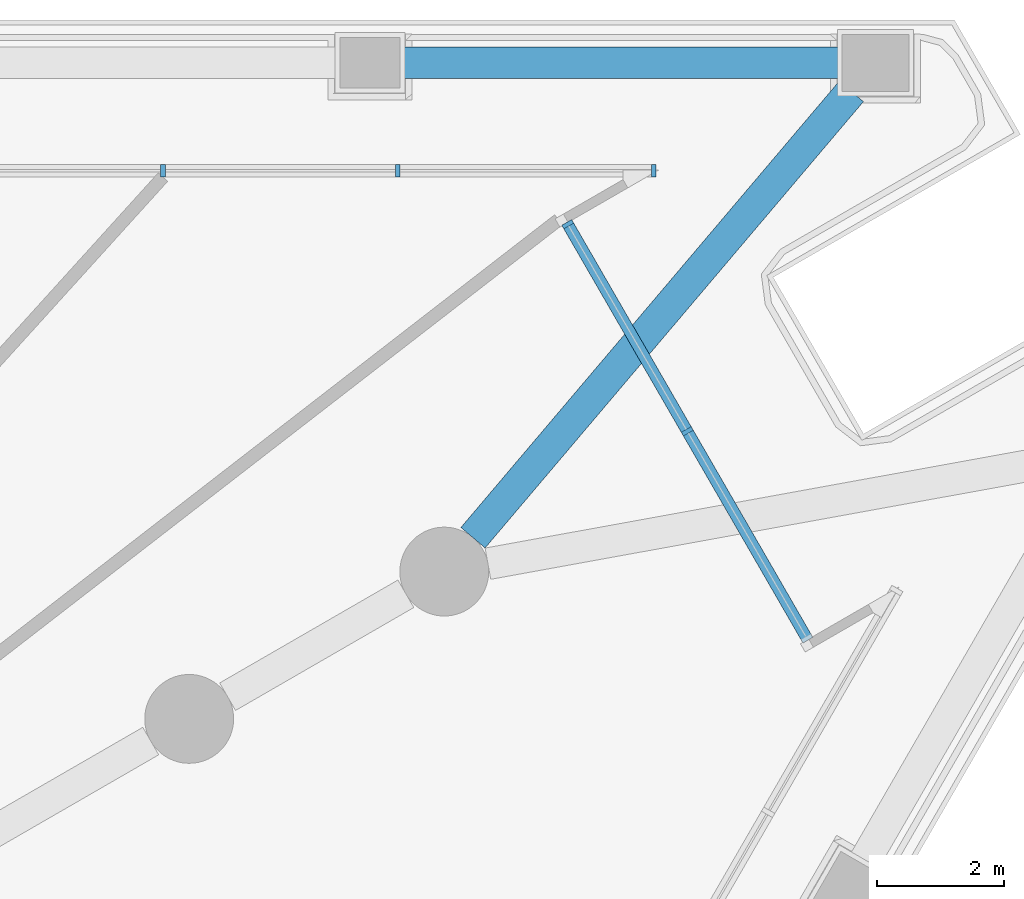
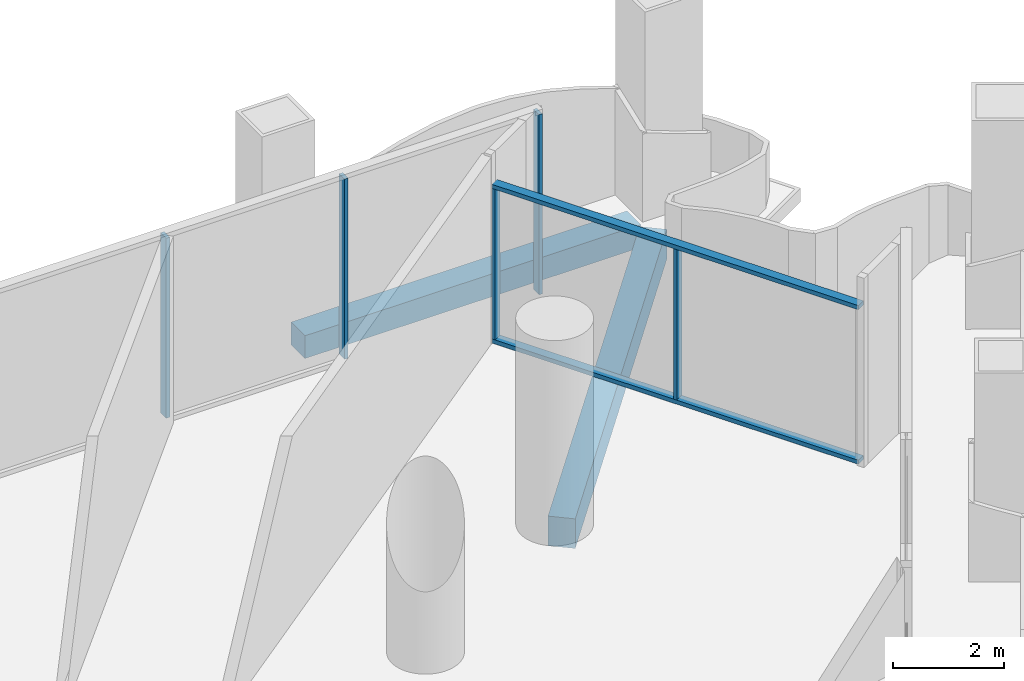
# One storey, part 9 of 23: 7 members, 2 beams, 2 elements without a shape of their own.
"""IFC4 building model written with IfcOpenShell, lengths in metres."""

from ifc_helpers import new_model, si_unit, direction, frame, origin, origin_2d, place, context, subcontext, project, spatial, rectangle, extrude, material, layer, layer_set, material_profile, profile_set, type_object, element, aggregate, save


model = new_model("IFC4")

# Units and contexts
model_context = context("Model", 3, precision=1e-05, world=origin(), true_north=direction((0.0, 1.0)))
body_context = subcontext(model_context, "Body", "Model", "MODEL_VIEW")
ifc_project = project(units=[si_unit("LENGTHUNIT", "METRE"), si_unit("AREAUNIT", "SQUARE_METRE"), si_unit("VOLUMEUNIT", "CUBIC_METRE"), si_unit("PLANEANGLEUNIT", "RADIAN"), si_unit("MASSUNIT", "GRAM", prefix="KILO")], contexts=[model_context])

# Site, building, storey
site_placement = place(None, origin())
site = spatial("IfcSite", under=ifc_project, at=site_placement, CompositionType="ELEMENT")
building_placement = place(site_placement, origin())
building = spatial("IfcBuilding", under=site, at=building_placement, Name="Trine Commons Tower", CompositionType="ELEMENT")
storey_placement = place(building_placement, frame((0.0, 0.0, 18.0)))
storey = spatial("IfcBuildingStorey", under=building, at=storey_placement, Name="L03", CompositionType="ELEMENT", Elevation=18.0)

# Curtain wall, members
ifc_material_1 = material(Name="Corner pocket glazing: anodised aluminium frame with low-emissivity double glazed unit, laminated", Category="aluminium")
ifc_layer_1 = layer(ifc_material_1, 0.179931640625)
ifc_layer_set_1 = layer_set([ifc_layer_1], Name="Corner pocket glazing: anodised aluminium frame with low-emissivity double glazed unit, laminated")
curtain_wall_type_1 = type_object("IfcCurtainWallType", Name="Corner pocket glazing curtain wall CW8", PredefinedType="NOTDEFINED", material=ifc_layer_set_1)
curtain_wall_1_placement = place(storey_placement, origin())
curtain_wall_1 = element("IfcCurtainWall", 1, at=curtain_wall_1_placement, inside=storey, type_object=curtain_wall_type_1, Name="Corner pocket glazing L03 P2.1", PredefinedType="NOTDEFINED")
ifc_material_2 = material(Name="Anodised aluminium, bronze finish", Category="aluminium")
ifc_material_profile_1 = material_profile(ifc_material_2, rectangle(XDim=0.179931640625, YDim=0.06494140625, at=origin_2d()), Name="Mullion 65x180")
ifc_profile_set_1 = profile_set([ifc_material_profile_1], Name="Anodised aluminium, bronze finish")
member_type_1 = type_object("IfcMemberType", Name="Mullion 65x180, Anodised aluminium, bronze finish", PredefinedType="MULLION", material=ifc_profile_set_1)
member_1_placement = place(storey_placement, frame((103.0224609375, 80.142333984375, 0.090087890625), z_axis=(0.0, 0.0, 1.0), x_axis=(0.866025403784, 0.5, 0.0)))
member_1 = element("IfcMember", 2, at=member_1_placement, type_object=member_type_1, Name="CW8 mullion 1.1", PredefinedType="MULLION", context=body_context, shape_type="SweptSolid", body=[
    extrude(rectangle(XDim=0.179931640625, YDim=0.06494140625, at=origin_2d()), origin(), (0.0, 0.0, 1.0), 3.2998046875),
])
member_2_placement = place(storey_placement, frame((104.90625, 76.879638671875, 0.090087890625), z_axis=(0.0, 0.0, 1.0), x_axis=(0.866025403784, 0.5, 0.0)))
member_2 = element("IfcMember", 3, at=member_2_placement, type_object=member_type_1, Name="CW8 mullion 2.1", PredefinedType="MULLION", context=body_context, shape_type="SweptSolid", body=[
    extrude(rectangle(XDim=0.179931640625, YDim=0.06494140625, at=origin_2d()), origin(), (0.0, 0.0, 1.0), 3.2998046875),
])

ifc_material_3 = material(Name="Podium glazing: anodised aluminium frame with low-emissivity double glazed unit", Category="aluminium")
ifc_layer_2 = layer(ifc_material_3, 0.199951171875)
ifc_layer_set_2 = layer_set([ifc_layer_2], Name="Podium glazing: anodised aluminium frame with low-emissivity double glazed unit")
curtain_wall_type_2 = type_object("IfcCurtainWallType", Name="Podium glazing curtain wall CW3", PredefinedType="NOTDEFINED", material=ifc_layer_set_2)
curtain_wall_2_placement = place(storey_placement, origin())
curtain_wall_2 = element("IfcCurtainWall", 4, at=curtain_wall_2_placement, inside=storey, type_object=curtain_wall_type_2, Name="Podium glazing L03 F1.2", PredefinedType="NOTDEFINED")
ifc_material_profile_2 = material_profile(ifc_material_2, rectangle(XDim=0.199951171875, YDim=0.074951171875, at=origin_2d()), Name="Mullion 75x200")
ifc_profile_set_2 = profile_set([ifc_material_profile_2], Name="Anodised aluminium, bronze finish")
member_type_2 = type_object("IfcMemberType", Name="Mullion 75x200, Anodised aluminium, bronze finish", PredefinedType="MULLION", material=ifc_profile_set_2)
member_3_placement = place(storey_placement, frame((96.644775390625, 80.984619140625, 0.10009765625), z_axis=(0.0, 0.0, 1.0), x_axis=(0.0, 1.0, 0.0)))
member_3 = element("IfcMember", 5, at=member_3_placement, type_object=member_type_2, Name="CW3 mullion 10.1", PredefinedType="MULLION", context=body_context, shape_type="SweptSolid", body=[
    extrude(rectangle(XDim=0.199951171875, YDim=0.074951171875, at=origin_2d()), origin(), (0.0, 0.0, 1.0), 3.949951171875),
])
member_4_placement = place(storey_placement, frame((100.34375, 80.984619140625, 0.10009765625), z_axis=(0.0, 0.0, 1.0), x_axis=(0.0, 1.0, 0.0)))
member_4 = element("IfcMember", 6, at=member_4_placement, type_object=member_type_2, Name="CW3 mullion 11.1", PredefinedType="MULLION", context=body_context, shape_type="SweptSolid", body=[
    extrude(rectangle(XDim=0.199951171875, YDim=0.074951171875, at=origin_2d()), origin(), (0.0, 0.0, 1.0), 3.949951171875),
])
member_5_placement = place(storey_placement, frame((104.37890625, 80.984619140625, 0.10009765625), z_axis=(0.0, 0.0, 1.0), x_axis=(0.0, 1.0, 0.0)))
member_5 = element("IfcMember", 7, at=member_5_placement, type_object=member_type_2, Name="CW3 mullion 12.1", PredefinedType="MULLION", context=body_context, shape_type="SweptSolid", body=[
    extrude(rectangle(XDim=0.199951171875, YDim=0.074951171875, at=origin_2d()), origin(), (0.0, 0.0, 1.0), 3.949951171875),
])
aggregate(curtain_wall_2, [member_3, member_4, member_5])

# Beams
ifc_material_4 = material(Name="Concrete C50/60", Category="concrete")
ifc_material_profile_3 = material_profile(ifc_material_4, rectangle(XDim=0.5, YDim=0.5, at=origin_2d()), Name="RC 500x500")
ifc_profile_set_3 = profile_set([ifc_material_profile_3], Name="Concrete C50/60")
beam_type_1 = type_object("IfcBeamType", Name="RC beam 500x500, C50/60", PredefinedType="BEAM", material=ifc_profile_set_3)
beam_1_placement = place(storey_placement, frame((100.38330078125, 82.6845703125, -0.60009765625), z_axis=(1.0, 0.0, 0.0), x_axis=(0.0, 1.0, 0.0)))
element("IfcBeam", 8, at=beam_1_placement, inside=storey, type_object=beam_type_1, Name="Beam EB1-14 L03", PredefinedType="BEAM", context=body_context, shape_type="SweptSolid", body=[
    extrude(rectangle(XDim=0.5, YDim=0.5, at=origin_2d()), origin(), (0.0, 0.0, 1.0), 6.96337890625),
])
ifc_material_profile_4 = material_profile(ifc_material_4, rectangle(XDim=0.5, YDim=0.64990234375, at=origin_2d()), Name="RC 500x650")
ifc_profile_set_4 = profile_set([ifc_material_profile_4], Name="Concrete C50/60")
beam_type_2 = type_object("IfcBeamType", Name="RC beam 500x650, C50/60", PredefinedType="BEAM", material=ifc_profile_set_4)
beam_2_placement = place(storey_placement, frame((107.490478515625, 82.234619140625, -0.675048828125), z_axis=(-0.646611559024, -0.762819435867, 0.0), x_axis=(0.762819435867, -0.646611559024, 0.0)))
element("IfcBeam", 9, at=beam_2_placement, inside=storey, type_object=beam_type_2, Name="Beam CB1-03 L03", PredefinedType="BEAM", context=body_context, shape_type="SweptSolid", body=[
    extrude(rectangle(XDim=0.5, YDim=0.64990234375, at=origin_2d()), origin(), (0.0, 0.0, 1.0), 9.21875),
])

# Member
ifc_material_profile_5 = material_profile(ifc_material_2, rectangle(XDim=0.179931640625, YDim=0.090087890625, at=origin_2d()), Name="Transom 90x180")
ifc_profile_set_5 = profile_set([ifc_material_profile_5], Name="Anodised aluminium, bronze finish")
member_type_3 = type_object("IfcMemberType", Name="Transom 90x180, Anodised aluminium, bronze finish", PredefinedType="USERDEFINED", material=ifc_profile_set_5)
member_6_placement = place(storey_placement, frame((103.006103515625, 80.17041015625, 0.044921875), z_axis=(0.500005158081, -0.866022425744, 0.0), x_axis=(0.866022425744, 0.500005158081, 0.0)))
member_6 = element("IfcMember", 10, at=member_6_placement, type_object=member_type_3, Name="CW8 transom T00", ObjectType="TRANSOM", PredefinedType="USERDEFINED", context=body_context, shape_type="SweptSolid", body=[
    extrude(rectangle(XDim=0.179931640625, YDim=0.090087890625, at=origin_2d()), origin(), (0.0, 0.0, 1.0), 7.60009765625),
])

member_7_placement = place(storey_placement, frame((103.006103515625, 80.17041015625, 3.43505859375), z_axis=(0.500005158081, -0.866022425744, 0.0), x_axis=(0.866022425744, 0.500005158081, 0.0)))
member_7 = element("IfcMember", 11, at=member_7_placement, type_object=member_type_3, Name="CW8 transom TH00", ObjectType="TRANSOM", PredefinedType="USERDEFINED", context=body_context, shape_type="SweptSolid", body=[
    extrude(rectangle(XDim=0.179931640625, YDim=0.090087890625, at=origin_2d()), origin(), (0.0, 0.0, 1.0), 7.60009765625),
])

aggregate(curtain_wall_1, [member_6, member_7, member_1, member_2])

save(model, "model.ifc")
